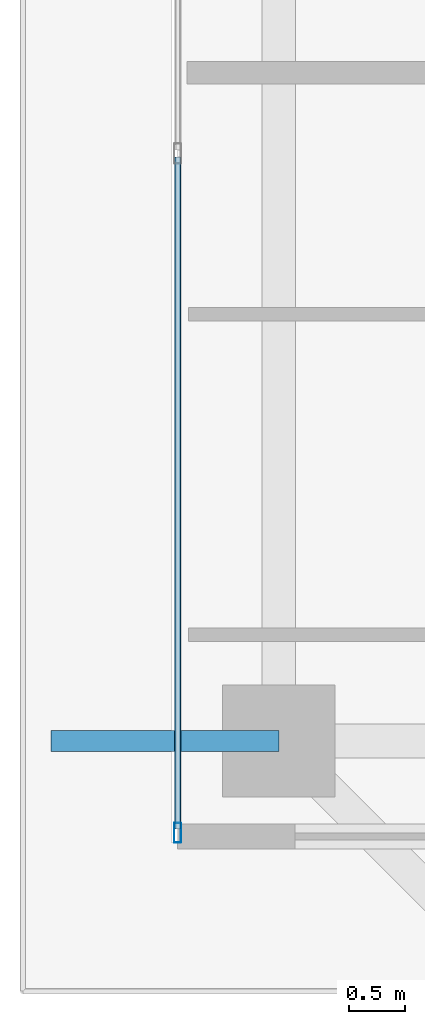
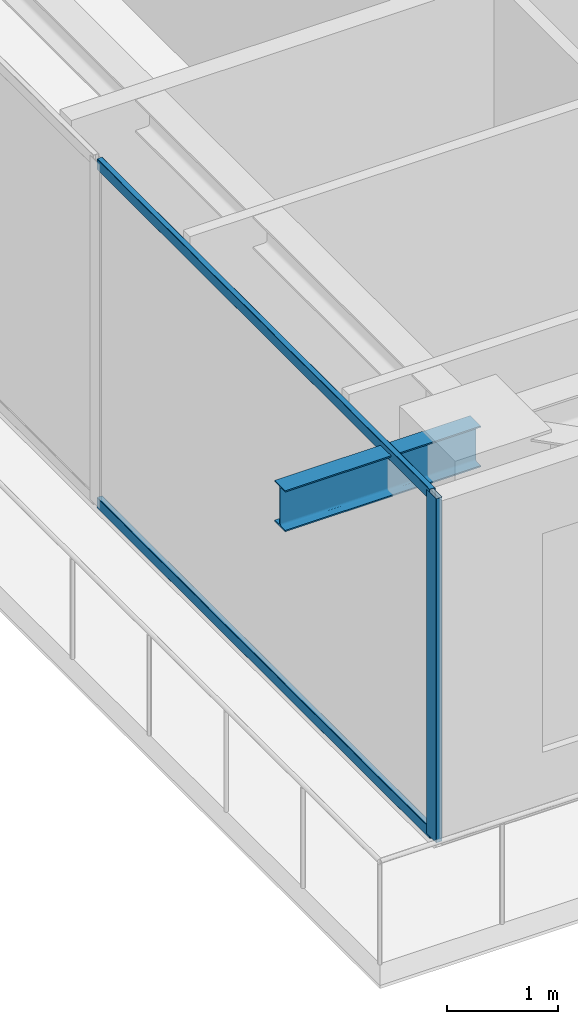
# One storey, part 4 of 42: 3 members, 1 beam, 1 element without a shape of its own.
"""IFC4 building model written with IfcOpenShell, lengths in metres."""

from ifc_helpers import new_model, si_unit, direction, frame, origin, origin_2d, place, context, subcontext, project, spatial, hollow_rectangle, i_section, extrude, source, transform, mapped, material, layer, layer_set, material_profile, profile_set, type_object, element, aggregate, save


model = new_model("IFC4")

# Units and contexts
model_context = context("Model", 3, precision=1e-05, world=origin(), true_north=direction((0.0, 1.0)))
body_context = subcontext(model_context, "Body", "Model", "MODEL_VIEW")
ifc_project = project(units=[si_unit("LENGTHUNIT", "METRE"), si_unit("AREAUNIT", "SQUARE_METRE"), si_unit("VOLUMEUNIT", "CUBIC_METRE"), si_unit("PLANEANGLEUNIT", "RADIAN"), si_unit("MASSUNIT", "GRAM", prefix="KILO")], contexts=[model_context])

# Site, building, storey
site_placement = place(None, origin())
site = spatial("IfcSite", under=ifc_project, at=site_placement, CompositionType="ELEMENT")
building_placement = place(site_placement, origin())
building = spatial("IfcBuilding", under=site, at=building_placement, Name="Serunith Strait Residences", CompositionType="ELEMENT")
storey_placement = place(building_placement, frame((0.0, 0.0, 297.5)))
storey = spatial("IfcBuildingStorey", under=building, at=storey_placement, Name="L74", CompositionType="ELEMENT", Elevation=297.5)

# Beam
ifc_material_1 = material(Name="Steel S355J2", Category="steel")
ifc_material_profile_1 = material_profile(ifc_material_1, i_section(OverallWidth=0.18994140625, OverallDepth=0.449951171875, WebThickness=0.009521484375, FlangeThickness=0.0146484375, FilletRadius=0.02099609375, at=origin_2d()), Name="IPE 450")
ifc_profile_set_1 = profile_set([ifc_material_profile_1], Name="Steel S355J2")
beam_type = type_object("IfcBeamType", Name="BM-IPE450", PredefinedType="JOIST", material=ifc_profile_set_1)
shared_shape_1 = source(origin(), body_context, "Body", "SweptSolid", [
    extrude(i_section(OverallWidth=0.18994140625, OverallDepth=0.449951171875, WebThickness=0.009521484375, FlangeThickness=0.0146484375, FilletRadius=0.02099609375, at=origin_2d()), origin(), (0.0, 0.0, 1.0), 2.030029296875),
])
beam_placement = place(storey_placement, frame((10.10009765625, 10.85009765625, 3.531982421875), z_axis=(-1.0, 0.0, 0.0), x_axis=(0.0, -1.0, 0.0)))
element("IfcBeam", 1, at=beam_placement, inside=storey, type_object=beam_type, Name="L75 Cantilevered Balcony Rib TC-W1", PredefinedType="JOIST", context=body_context, shape_type="MappedRepresentation", body=[
    mapped(shared_shape_1, transform((0.0, 0.0, 0.0), scale=1.0)),
])

# Curtain wall, members
ifc_material_2 = material(Name="Brushed Stainless-Silver Aluminium", Category="aluminium")
ifc_layer = layer(ifc_material_2, 0.199951171875, Name="Brushed Stainless-Silver Aluminium")
ifc_layer_set = layer_set([ifc_layer], Name="Brushed Stainless-Silver Aluminium")
curtain_wall_type = type_object("IfcCurtainWallType", Name="CW-SYS5", PredefinedType="NOTDEFINED", material=ifc_layer_set)
curtain_wall_placement = place(storey_placement, origin())
curtain_wall = element("IfcCurtainWall", 2, at=curtain_wall_placement, inside=storey, type_object=curtain_wall_type, Name="L74 W Unitised Fritted Curtain Wall", PredefinedType="NOTDEFINED")
ifc_material_profile_2 = material_profile(ifc_material_2, hollow_rectangle(XDim=0.06005859375, YDim=0.1201171875, WallThickness=0.00341796875, InnerFilletRadius=0.00537109375, OuterFilletRadius=0.0087890625, at=origin_2d()), Name="ALU 120x60x3.5")
ifc_profile_set_2 = profile_set([ifc_material_profile_2], Name="Brushed Stainless-Silver Aluminium")
member_type_1 = type_object("IfcMemberType", Name="CW-SYS5-TRAN", PredefinedType="USERDEFINED", material=ifc_profile_set_2)
shared_shape_2 = source(origin(), body_context, "Body", "SweptSolid", [
    extrude(hollow_rectangle(XDim=0.06005859375, YDim=0.1201171875, WallThickness=0.00341796875, InnerFilletRadius=0.00537109375, OuterFilletRadius=0.0087890625, at=origin_2d()), origin(), (0.0, 0.0, 1.0), 5.982666015625),
])
member_1_placement = place(storey_placement, frame((9.199951171875, 16.047607421875, 0.030029296875), z_axis=(0.0, -1.0, 0.0), x_axis=(1.0, 0.0, 0.0)))
member_1 = element("IfcMember", 3, at=member_1_placement, type_object=member_type_1, Name="CW-5 transom 5.1", ObjectType="TRANSOM", PredefinedType="USERDEFINED", context=body_context, shape_type="MappedRepresentation", body=[
    mapped(shared_shape_2, transform((0.0, 0.0, 0.0), scale=1.0)),
])
member_2_placement = place(storey_placement, frame((9.199951171875, 16.047607421875, 3.7451171875), z_axis=(0.0, -1.0, 0.0), x_axis=(1.0, 0.0, 0.0)))
member_2 = element("IfcMember", 4, at=member_2_placement, type_object=member_type_1, Name="CW-5 transom 5.2", ObjectType="TRANSOM", PredefinedType="USERDEFINED", context=body_context, shape_type="MappedRepresentation", body=[
    mapped(shared_shape_2, transform((0.0, 0.0, 0.0), scale=1.0)),
])
ifc_material_profile_3 = material_profile(ifc_material_2, hollow_rectangle(XDim=0.06494140625, YDim=0.179931640625, WallThickness=0.00341796875, InnerFilletRadius=0.00537109375, OuterFilletRadius=0.0087890625, at=origin_2d()), Name="ALU 180x65x3.5")
ifc_profile_set_3 = profile_set([ifc_material_profile_3], Name="Brushed Stainless-Silver Aluminium")
member_type_2 = type_object("IfcMemberType", Name="CW-SYS5-MULL", PredefinedType="MULLION", material=ifc_profile_set_3)
shared_shape_3 = source(origin(), body_context, "Body", "SweptSolid", [
    extrude(hollow_rectangle(XDim=0.06494140625, YDim=0.179931640625, WallThickness=0.00341796875, InnerFilletRadius=0.00537109375, OuterFilletRadius=0.0087890625, at=origin_2d()), origin(), (0.0, 0.0, 1.0), 3.77490234375),
])
member_3_placement = place(storey_placement, frame((9.199951171875, 10.032470703125, 0.0), z_axis=(0.0, 0.0, 1.0), x_axis=(1.0, 0.0, 0.0)))
member_3 = element("IfcMember", 5, at=member_3_placement, type_object=member_type_2, Name="CW-5 mullion 6", PredefinedType="MULLION", context=body_context, shape_type="MappedRepresentation", body=[
    mapped(shared_shape_3, transform((0.0, 0.0, 0.0), scale=1.0)),
])
aggregate(curtain_wall, [member_3, member_1, member_2])

save(model, "model.ifc")
